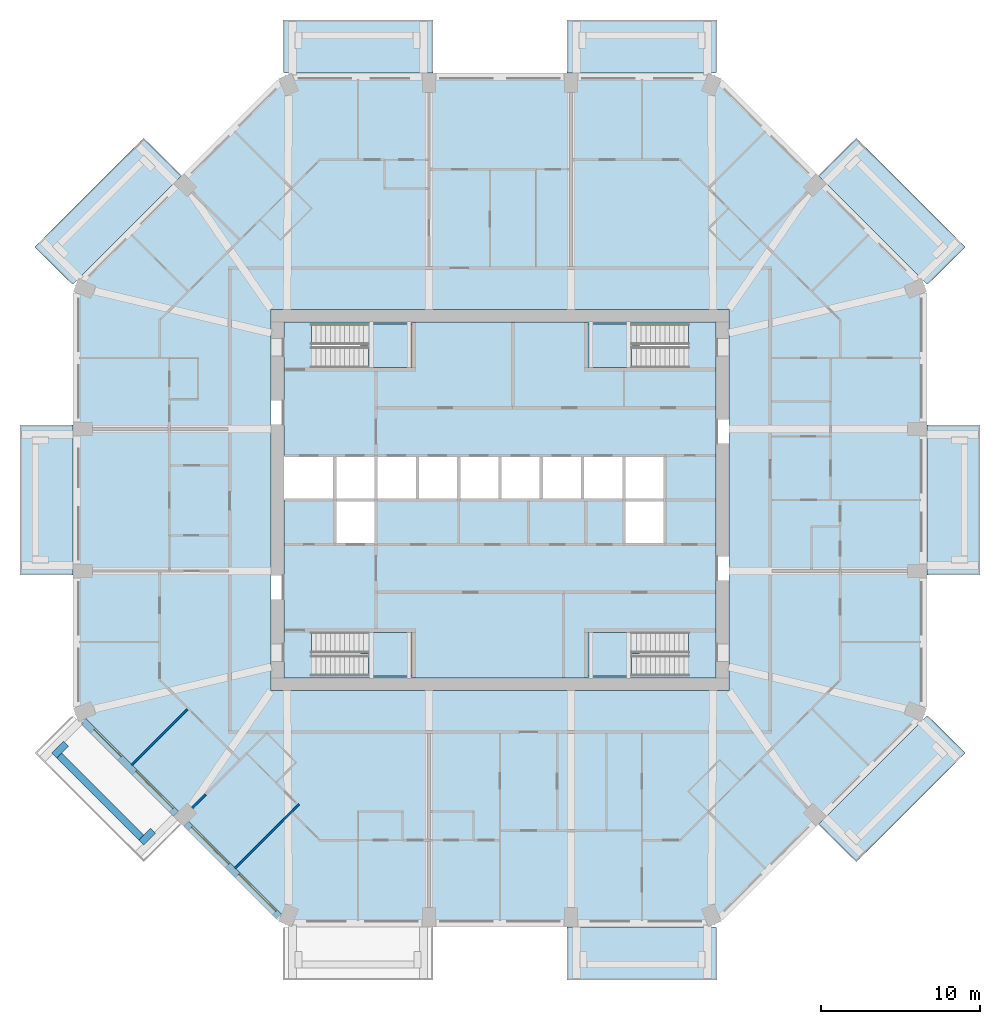
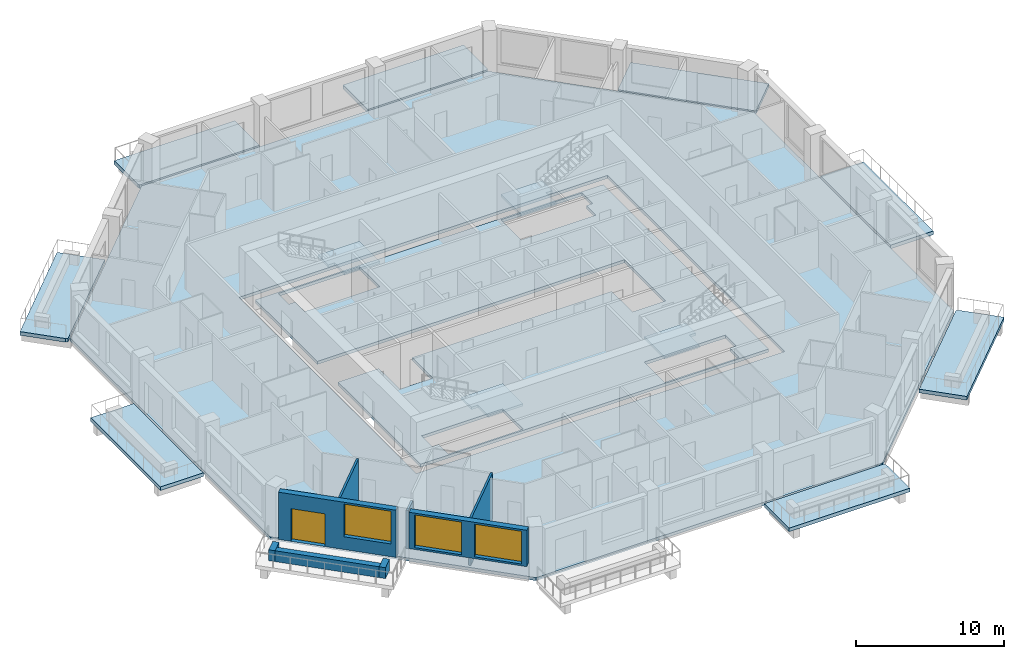
# One storey, part 2 of 13: 14 slabs, 8 walls, 3 windows, 1 door, 4 openings, 4 elements without a shape of their own.
"""IFC4 building model written with IfcOpenShell, lengths in metres."""

from ifc_helpers import new_model, si_unit, direction, frame, frame_2d, origin, place, context, subcontext, project, spatial, polyline, rectangle, outline, extrude, material, layer, layer_set, type_object, element, fill, aggregate, save


model = new_model("IFC4")

# Units and contexts
model_context = context("Model", 3, precision=1e-05, world=origin(), true_north=direction((0.0, 1.0)))
body_context = subcontext(model_context, "Body", "Model", "MODEL_VIEW")
ifc_project = project(units=[si_unit("LENGTHUNIT", "METRE"), si_unit("AREAUNIT", "SQUARE_METRE"), si_unit("VOLUMEUNIT", "CUBIC_METRE"), si_unit("PLANEANGLEUNIT", "RADIAN"), si_unit("MASSUNIT", "GRAM", prefix="KILO")], contexts=[model_context])

# Site, building, storey
site_placement = place(None, origin())
site = spatial("IfcSite", under=ifc_project, at=site_placement, CompositionType="ELEMENT")
building_placement = place(site_placement, origin())
building = spatial("IfcBuilding", under=site, at=building_placement, Name="Msitu Wima Residences", CompositionType="ELEMENT")
storey_placement = place(building_placement, frame((0.0, 0.0, 144.300048828125)))
storey = spatial("IfcBuildingStorey", under=building, at=storey_placement, Name="L33", CompositionType="ELEMENT", Elevation=144.300048828125)

# Slabs
ifc_material_1 = material(Name="Concrete C40/50", Category="concrete")
ifc_layer_1 = layer(ifc_material_1, 0.300048828125)
ifc_layer_set_1 = layer_set([ifc_layer_1], Name="Concrete C40/50")
slab_type_1 = type_object("IfcSlabType", Name="Balcony slab BS300", PredefinedType="FLOOR", material=ifc_layer_set_1)
slab_1_placement = place(storey_placement, frame((0.0, 0.0, -0.300048828125)))
element("IfcSlab", 1, at=slab_1_placement, inside=storey, type_object=slab_type_1, Name="Balcony E1 L33", PredefinedType="FLOOR", context=body_context, shape_type="SweptSolid", body=[
    extrude(outline(polyline([(26.85009765625, 4.0185546875), (26.85009765625, 4.0185546875), (26.85009765625, 4.71875), (30.199951171875, 4.71875), (30.199951171875, -4.71875), (26.85009765625, -4.71875), (26.85009765625, -4.0185546875), (26.85009765625, -4.0185546875), (26.85009765625, 4.0185546875)])), origin(), (0.0, 0.0, 1.0), 0.300048828125),
])
slab_2_placement = place(storey_placement, frame((0.0, 0.0, -0.300048828125)))
element("IfcSlab", 2, at=slab_2_placement, inside=storey, type_object=slab_type_1, Name="Balcony NE0 L33", PredefinedType="FLOOR", context=body_context, shape_type="SweptSolid", body=[
    extrude(outline(polyline([(22.4130859375, 22.766845703125), (29.263671875, 15.916015625), (27.003662109375, 13.656005859375), (26.85009765625, 13.59228515625), (20.04443359375, 20.39794921875), (22.4130859375, 22.766845703125)])), origin(), (0.0, 0.0, 1.0), 0.300048828125),
])
slab_3_placement = place(storey_placement, frame((0.0, 0.0, -0.300048828125)))
element("IfcSlab", 3, at=slab_3_placement, inside=storey, type_object=slab_type_1, Name="Balcony N0 L33", PredefinedType="FLOOR", context=body_context, shape_type="SweptSolid", body=[
    extrude(outline(polyline([(13.105224609375, 26.85009765625), (13.105224609375, 26.85009765625), (4.918701171875, 26.85009765625), (4.918701171875, 26.85009765625), (4.21875, 26.85009765625), (4.21875, 30.199951171875), (13.656005859375, 30.199951171875), (13.656005859375, 27.003662109375), (13.59228515625, 26.85009765625), (13.105224609375, 26.85009765625), (13.105224609375, 26.85009765625)])), origin(), (0.0, 0.0, 1.0), 0.300048828125),
])
slab_4_placement = place(storey_placement, frame((0.0, 0.0, -0.300048828125)))
element("IfcSlab", 4, at=slab_4_placement, inside=storey, type_object=slab_type_1, Name="Balcony N2 L33", PredefinedType="FLOOR", context=body_context, shape_type="SweptSolid", body=[
    extrude(outline(polyline([(-13.105224609375, 26.85009765625), (-13.105224609375, 26.85009765625), (-13.59228515625, 26.85009765625), (-13.656005859375, 27.003662109375), (-13.656005859375, 30.199951171875), (-4.21875, 30.199951171875), (-4.21875, 26.85009765625), (-4.918701171875, 26.85009765625), (-4.918701171875, 26.85009765625), (-13.105224609375, 26.85009765625), (-13.105224609375, 26.85009765625)])), origin(), (0.0, 0.0, 1.0), 0.300048828125),
])
slab_5_placement = place(storey_placement, frame((0.0, 0.0, -0.300048828125)))
element("IfcSlab", 5, at=slab_5_placement, inside=storey, type_object=slab_type_1, Name="Balcony NW1 L33", PredefinedType="FLOOR", context=body_context, shape_type="SweptSolid", body=[
    extrude(outline(polyline([(-29.263671875, 15.916015625), (-22.4130859375, 22.766845703125), (-20.04443359375, 20.39794921875), (-26.85009765625, 13.59228515625), (-27.003662109375, 13.656005859375), (-29.263671875, 15.916015625)])), origin(), (0.0, 0.0, 1.0), 0.300048828125),
])
slab_6_placement = place(storey_placement, frame((0.0, 0.0, -0.300048828125)))
element("IfcSlab", 6, at=slab_6_placement, inside=storey, type_object=slab_type_1, Name="Balcony W1 L33", PredefinedType="FLOOR", context=body_context, shape_type="SweptSolid", body=[
    extrude(outline(polyline([(-26.85009765625, -4.0185546875), (-26.85009765625, -4.0185546875), (-26.85009765625, -4.71875), (-30.199951171875, -4.71875), (-30.199951171875, 4.71875), (-26.85009765625, 4.71875), (-26.85009765625, 4.0185546875), (-26.85009765625, 4.0185546875), (-26.85009765625, -4.0185546875)])), origin(), (0.0, 0.0, 1.0), 0.300048828125),
])
slab_7_placement = place(storey_placement, frame((0.0, 0.0, -0.300048828125)))
element("IfcSlab", 7, at=slab_7_placement, inside=storey, type_object=slab_type_1, Name="Balcony S2 L33", PredefinedType="FLOOR", context=body_context, shape_type="SweptSolid", body=[
    extrude(outline(polyline([(13.105224609375, -26.85009765625), (13.105224609375, -26.85009765625), (13.59228515625, -26.85009765625), (13.656005859375, -27.003662109375), (13.656005859375, -30.199951171875), (4.21875, -30.199951171875), (4.21875, -26.85009765625), (4.918701171875, -26.85009765625), (4.918701171875, -26.85009765625), (13.105224609375, -26.85009765625), (13.105224609375, -26.85009765625)])), origin(), (0.0, 0.0, 1.0), 0.300048828125),
])
slab_8_placement = place(storey_placement, frame((0.0, 0.0, -0.300048828125)))
element("IfcSlab", 8, at=slab_8_placement, inside=storey, type_object=slab_type_1, Name="Balcony SE1 L33", PredefinedType="FLOOR", context=body_context, shape_type="SweptSolid", body=[
    extrude(outline(polyline([(29.263671875, -15.916015625), (22.4130859375, -22.766845703125), (20.04443359375, -20.39794921875), (26.85009765625, -13.59228515625), (27.003662109375, -13.656005859375), (29.263671875, -15.916015625)])), origin(), (0.0, 0.0, 1.0), 0.300048828125),
])
ifc_layer_2 = layer(ifc_material_1, 0.25)
ifc_layer_set_2 = layer_set([ifc_layer_2], Name="Concrete C40/50")
slab_type_2 = type_object("IfcSlabType", Name="Core floor CF250", PredefinedType="FLOOR", material=ifc_layer_set_2)
slab_9_placement = place(storey_placement, frame((0.0, 0.0, -0.25)))
element("IfcSlab", 9, at=slab_9_placement, inside=storey, type_object=slab_type_2, Name="Core floor", PredefinedType="FLOOR", context=body_context, shape_type="SweptSolid", body=[
    extrude(outline(polyline([(-13.60009765625, 11.199951171875), (-13.60009765625, 2.800048828125), (-10.39990234375, 2.800048828125), (-7.800048828125, 2.800048828125), (-5.199951171875, 2.800048828125), (-2.60009765625, 2.800048828125), (0.0, 2.800048828125), (2.60009765625, 2.800048828125), (5.199951171875, 2.800048828125), (7.800048828125, 2.800048828125), (10.39990234375, 2.800048828125), (10.39990234375, 0.0), (10.39990234375, -2.800048828125), (7.800048828125, -2.800048828125), (7.800048828125, 0.0), (5.199951171875, 0.0), (2.60009765625, 0.0), (0.0, 0.0), (-2.60009765625, 0.0), (-5.199951171875, 0.0), (-7.800048828125, 0.0), (-7.800048828125, -2.800048828125), (-10.39990234375, -2.800048828125), (-10.39990234375, 0.0), (-13.60009765625, 0.0), (-13.60009765625, -11.199951171875), (13.60009765625, -11.199951171875), (13.60009765625, 11.199951171875), (-13.60009765625, 11.199951171875)]), holes=[polyline([(-11.375, -11.074951171875), (-11.375, -9.77490234375), (-11.87451171875, -9.77490234375), (-11.87451171875, -8.324951171875), (-5.52490234375, -8.324951171875), (-5.52490234375, -11.074951171875), (-11.375, -11.074951171875)]), polyline([(-11.375, 9.625), (-11.87451171875, 9.625), (-11.87451171875, 11.074951171875), (-5.52490234375, 11.074951171875), (-5.52490234375, 8.324951171875), (-11.375, 8.324951171875), (-11.375, 9.625)]), polyline([(11.375, -9.77490234375), (11.375, -11.074951171875), (5.52490234375, -11.074951171875), (5.52490234375, -8.324951171875), (11.87451171875, -8.324951171875), (11.87451171875, -9.77490234375), (11.375, -9.77490234375)]), polyline([(11.375, 9.625), (11.375, 8.324951171875), (5.52490234375, 8.324951171875), (5.52490234375, 11.074951171875), (11.87451171875, 11.074951171875), (11.87451171875, 9.625), (11.375, 9.625)])]), origin(), (0.0, 0.0, 1.0), 0.25),
])
ifc_layer_3 = layer(ifc_material_1, 0.25)
ifc_layer_set_3 = layer_set([ifc_layer_3], Name="Concrete C40/50")
slab_type_3 = type_object("IfcSlabType", Name="PT flat slab 250 Concrete C40/50", PredefinedType="FLOOR", material=ifc_layer_set_3)
slab_10_placement = place(storey_placement, frame((0.0, 0.0, -0.25)))
element("IfcSlab", 10, at=slab_10_placement, inside=storey, type_object=slab_type_3, Name="Floor slab L33", PredefinedType="FLOOR", context=body_context, shape_type="SweptSolid", body=[
    extrude(outline(polyline([(26.699951171875, -13.5302734375), (13.5302734375, -26.699951171875), (-13.5302734375, -26.699951171875), (-26.699951171875, -13.5302734375), (-26.699951171875, 13.5302734375), (-13.5302734375, 26.699951171875), (13.5302734375, 26.699951171875), (26.699951171875, 13.5302734375), (26.699951171875, -13.5302734375)]), holes=[polyline([(-14.39990234375, -12.0), (14.39990234375, -12.0), (14.39990234375, 12.0), (-14.39990234375, 12.0), (-14.39990234375, -12.0)])]), origin(), (0.0, 0.0, 1.0), 0.25),
])

# Stair, slab
stair_type = type_object("IfcStairType", Name="Exit stair ES1615-130", PredefinedType="HALF_TURN_STAIR", material=ifc_material_1)
stair_1_placement = place(storey_placement, origin())
stair_1 = element("IfcStair", 11, at=stair_1_placement, inside=storey, type_object=stair_type, Name="Exit stair 1", PredefinedType="HALF_TURN_STAIR")
ifc_layer_4 = layer(ifc_material_1, 0.199951171875)
ifc_layer_set_4 = layer_set([ifc_layer_4], Name="Concrete C40/50")
slab_type_4 = type_object("IfcSlabType", Name="Stair landing SL200", PredefinedType="LANDING", material=ifc_layer_set_4)
slab_11_placement = place(storey_placement, frame((0.0, 0.0, 1.89990234375)))
slab_11 = element("IfcSlab", 12, at=slab_11_placement, type_object=slab_type_4, Name="S1 landing 1", PredefinedType="LANDING", context=body_context, shape_type="SweptSolid", body=[
    extrude(outline(polyline([(-5.52490234375, 8.324951171875), (-8.275390625, 8.324951171875), (-8.275390625, 9.699951171875), (-8.77490234375, 9.699951171875), (-8.77490234375, 11.074951171875), (-5.52490234375, 11.074951171875), (-5.52490234375, 8.324951171875)])), origin(), (0.0, 0.0, 1.0), 0.199951171875),
])
aggregate(stair_1, [slab_11])

stair_2_placement = place(storey_placement, origin())
stair_2 = element("IfcStair", 13, at=stair_2_placement, inside=storey, type_object=stair_type, Name="Exit stair 2", PredefinedType="HALF_TURN_STAIR")
slab_12_placement = place(storey_placement, frame((0.0, 0.0, 1.89990234375)))
slab_12 = element("IfcSlab", 14, at=slab_12_placement, type_object=slab_type_4, Name="S2 landing 1", PredefinedType="LANDING", context=body_context, shape_type="SweptSolid", body=[
    extrude(outline(polyline([(-5.52490234375, -11.074951171875), (-8.275390625, -11.074951171875), (-8.275390625, -9.699951171875), (-8.77490234375, -9.699951171875), (-8.77490234375, -8.324951171875), (-5.52490234375, -8.324951171875), (-5.52490234375, -11.074951171875)])), origin(), (0.0, 0.0, 1.0), 0.199951171875),
])
aggregate(stair_2, [slab_12])

stair_3_placement = place(storey_placement, origin())
stair_3 = element("IfcStair", 15, at=stair_3_placement, inside=storey, type_object=stair_type, Name="Exit stair 3", PredefinedType="HALF_TURN_STAIR")
slab_13_placement = place(storey_placement, frame((0.0, 0.0, 1.89990234375)))
slab_13 = element("IfcSlab", 16, at=slab_13_placement, type_object=slab_type_4, Name="S3 landing 1", PredefinedType="LANDING", context=body_context, shape_type="SweptSolid", body=[
    extrude(outline(polyline([(5.52490234375, 8.324951171875), (8.275390625, 8.324951171875), (8.275390625, 9.699951171875), (8.77490234375, 9.699951171875), (8.77490234375, 11.074951171875), (5.52490234375, 11.074951171875), (5.52490234375, 8.324951171875)])), origin(), (0.0, 0.0, 1.0), 0.199951171875),
])
aggregate(stair_3, [slab_13])

stair_4_placement = place(storey_placement, origin())
stair_4 = element("IfcStair", 17, at=stair_4_placement, inside=storey, type_object=stair_type, Name="Exit stair 4", PredefinedType="HALF_TURN_STAIR")
slab_14_placement = place(storey_placement, frame((0.0, 0.0, 1.89990234375)))
slab_14 = element("IfcSlab", 18, at=slab_14_placement, type_object=slab_type_4, Name="S4 landing 1", PredefinedType="LANDING", context=body_context, shape_type="SweptSolid", body=[
    extrude(outline(polyline([(5.52490234375, -11.074951171875), (8.275390625, -11.074951171875), (8.275390625, -9.699951171875), (8.77490234375, -9.699951171875), (8.77490234375, -8.324951171875), (5.52490234375, -8.324951171875), (5.52490234375, -11.074951171875)])), origin(), (0.0, 0.0, 1.0), 0.199951171875),
])
aggregate(stair_4, [slab_14])

# Walls
ifc_material_2 = material(Name="Facing brick")
ifc_layer_5 = layer(ifc_material_2, 0.06494140625, Name="Facing brick")
ifc_layer_6 = layer(ifc_material_1, 0.156005859375, Name="Concrete C40/50")
ifc_material_3 = material(Name="Waterproofing membrane")
ifc_layer_7 = layer(ifc_material_3, 0.00390625, Name="Waterproofing membrane")
ifc_material_4 = material(Name="Planting soil and planting")
ifc_layer_8 = layer(ifc_material_4, 0.22509765625, Name="Planting soil and planting")
ifc_layer_set_5 = layer_set([ifc_layer_5, ifc_layer_6, ifc_layer_7, ifc_layer_8], Name="Concrete C40/50")
wall_type_1 = type_object("IfcWallType", Name="Balcony planter PLANTER PL450", PredefinedType="USERDEFINED", material=ifc_layer_set_5)
wall_1_placement = place(storey_placement, frame((-27.725830078125, -16.0751953125, 0.0), z_axis=(0.0, 0.0, 1.0), x_axis=(0.707106781187, -0.707106781187, 0.0)))
element("IfcWall", 19, at=wall_1_placement, inside=storey, type_object=wall_type_1, Name="Balcony planter SW0 L33", ObjectType="PLANTER", PredefinedType="USERDEFINED", context=body_context, shape_type="SweptSolid", body=[
    extrude(rectangle(XDim=7.288330078125, YDim=0.449951171875, at=frame_2d((3.64404296875, 0.0))), origin(), (0.0, 0.0, 1.0), 0.89990234375),
])
for number, where, z_axis, x_axis, name in (
    (20, (-27.301513671875, -15.332763671875, 0.0), (0.0, 0.0, 1.0), (-0.707106781187, -0.707106781187, 0.0), "Balcony planter SW0 L33"),
    (21, (-21.829833984375, -20.804443359375, 0.0), (0.0, 0.0, 1.0), (-0.707106781187, -0.707106781187, 0.0), "Balcony planter SW0 L33"),
):
    element("IfcWall", number, at=place(storey_placement, frame(where, z_axis=z_axis, x_axis=x_axis)), inside=storey, type_object=wall_type_1, Name=name, ObjectType="PLANTER", PredefinedType="USERDEFINED", context=body_context, shape_type="SweptSolid", body=[
        extrude(rectangle(XDim=1.050048828125, YDim=0.449951171875, at=frame_2d((0.52490234375, 0.0))), origin(), (0.0, 0.0, 1.0), 0.89990234375),
    ])

# Wall, openings, door, window
ifc_material_5 = material(Name="Brick (red buff mix)", Category="masonry")
ifc_layer_9 = layer(ifc_material_5, 0.449951171875)
ifc_layer_set_6 = layer_set([ifc_layer_9], Name="Brick (red buff mix)")
wall_type_2 = type_object("IfcWallType", Name="Brick infill wall BW450", PredefinedType="SOLIDWALL", material=ifc_layer_set_6)
wall_2_placement = place(storey_placement, frame((-26.214599609375, -13.909423828125, 0.0), z_axis=(0.0, 0.0, 1.0), x_axis=(0.707106781187, -0.707106781187, 0.0)))
wall_2 = element("IfcWall", 22, at=wall_2_placement, inside=storey, type_object=wall_type_2, Name="Brick infill wall L33 SW0", PredefinedType="SOLIDWALL", context=body_context, shape_type="SweptSolid", body=[
    extrude(rectangle(XDim=8.251220703125, YDim=0.449951171875, at=frame_2d((4.12548828125, 0.0))), origin(), (0.0, 0.0, 1.0), 3.89990234375),
])
opening_1_placement = place(wall_2_placement, frame((0.86279296875, 0.0, 0.0)))
opening_1 = element("IfcOpeningElement", 23, at=opening_1_placement, cuts=wall_2, Name="Opening D33.009", PredefinedType="OPENING", context=body_context, shape_type="SweptSolid", body=[
    extrude(rectangle(XDim=2.39990234375, YDim=2.699951171875, at=frame_2d((1.199951171875, 1.35009765625))), frame((0.0, 0.23486328125, 0.0), z_axis=(0.0, -1.0, 0.0), x_axis=(1.0, 0.0, 0.0)), (0.0, 0.0, 1.0), 0.469970703125),
])
opening_2_placement = place(wall_2_placement, frame((4.57568359375, 0.0, 1.050048828125)))
opening_2 = element("IfcOpeningElement", 24, at=opening_2_placement, cuts=wall_2, Name="Opening W33.023", PredefinedType="OPENING", context=body_context, shape_type="SweptSolid", body=[
    extrude(rectangle(XDim=3.300048828125, YDim=2.699951171875, at=frame_2d((1.64990234375, 1.35009765625))), frame((0.0, 0.23486328125, 0.0), z_axis=(0.0, -1.0, 0.0), x_axis=(1.0, 0.0, 0.0)), (0.0, 0.0, 1.0), 0.469970703125),
])
ifc_material_6 = material(Name="Anodised aluminium, bronze finish, clear low-emissivity double glazing", Category="aluminium")
door_type = type_object("IfcDoorType", Name="Balcony door D2400x2700", OperationType="SLIDING_TO_LEFT", PredefinedType="DOOR", material=ifc_material_6)
door_placement = place(opening_1_placement, origin())
door = element("IfcDoor", 25, at=door_placement, inside=storey, type_object=door_type, Name="Balcony door L33 SW0", OperationType="SINGLE_SWING_LEFT", OverallHeight=2.699951171875, OverallWidth=2.39990234375, PredefinedType="DOOR", context=body_context, shape_type="SweptSolid", body=[
    extrude(rectangle(XDim=2.39990234375, YDim=2.699951171875, at=frame_2d((1.199951171875, 1.35009765625))), frame((0.0, 0.1298828125, 0.0), z_axis=(0.0, -1.0, 0.0), x_axis=(1.0, 0.0, 0.0)), (0.0, 0.0, 1.0), 0.050048828125),
])
fill(opening_1, door)
window_type = type_object("IfcWindowType", Name="Window W3300x2700", PartitioningType="DOUBLE_PANEL_VERTICAL", PredefinedType="WINDOW", material=ifc_material_6)
window_1_placement = place(opening_2_placement, origin())
window_1 = element("IfcWindow", 26, at=window_1_placement, inside=storey, type_object=window_type, Name="Window L33 SW0.2", OverallHeight=2.699951171875, OverallWidth=3.300048828125, PartitioningType="SINGLE_PANEL", PredefinedType="WINDOW", context=body_context, shape_type="SweptSolid", body=[
    extrude(rectangle(XDim=3.300048828125, YDim=2.699951171875, at=frame_2d((1.64990234375, 1.35009765625))), frame((0.0, 0.135009765625, 0.0), z_axis=(0.0, -1.0, 0.0), x_axis=(1.0, 0.0, 0.0)), (0.0, 0.0, 1.0), 0.06005859375),
])
fill(opening_2, window_1)

# Wall, openings, windows
wall_3_placement = place(storey_placement, frame((-19.743896484375, -20.380126953125, 0.89990234375), z_axis=(0.0, 0.0, 1.0), x_axis=(0.707106781187, -0.707106781187, 0.0)))
wall_3 = element("IfcWall", 27, at=wall_3_placement, inside=storey, type_object=wall_type_2, Name="Brick infill wall L33 SW1", PredefinedType="SOLIDWALL", context=body_context, shape_type="SweptSolid", body=[
    extrude(rectangle(XDim=8.251220703125, YDim=0.449951171875, at=frame_2d((4.12548828125, 0.0))), origin(), (0.0, 0.0, 1.0), 3.0),
])
opening_3_placement = place(wall_3_placement, frame((0.37548828125, 0.0, 0.14990234375)))
opening_3 = element("IfcOpeningElement", 28, at=opening_3_placement, cuts=wall_3, Name="Opening W33.024", PredefinedType="OPENING", context=body_context, shape_type="SweptSolid", body=[
    extrude(rectangle(XDim=3.300048828125, YDim=2.699951171875, at=frame_2d((1.64990234375, 1.35009765625))), frame((0.0, 0.23486328125, 0.0), z_axis=(0.0, -1.0, 0.0), x_axis=(1.0, 0.0, 0.0)), (0.0, 0.0, 1.0), 0.469970703125),
])
opening_4_placement = place(wall_3_placement, frame((4.57568359375, 0.0, 0.14990234375)))
opening_4 = element("IfcOpeningElement", 29, at=opening_4_placement, cuts=wall_3, Name="Opening W33.025", PredefinedType="OPENING", context=body_context, shape_type="SweptSolid", body=[
    extrude(rectangle(XDim=3.300048828125, YDim=2.699951171875, at=frame_2d((1.64990234375, 1.35009765625))), frame((0.0, 0.23486328125, 0.0), z_axis=(0.0, -1.0, 0.0), x_axis=(1.0, 0.0, 0.0)), (0.0, 0.0, 1.0), 0.469970703125),
])
window_2_placement = place(opening_3_placement, origin())
window_2 = element("IfcWindow", 30, at=window_2_placement, inside=storey, type_object=window_type, Name="Window L33 SW1.1", OverallHeight=2.699951171875, OverallWidth=3.300048828125, PartitioningType="SINGLE_PANEL", PredefinedType="WINDOW", context=body_context, shape_type="SweptSolid", body=[
    extrude(rectangle(XDim=3.300048828125, YDim=2.699951171875, at=frame_2d((1.64990234375, 1.35009765625))), frame((0.0, 0.135009765625, 0.0), z_axis=(0.0, -1.0, 0.0), x_axis=(1.0, 0.0, 0.0)), (0.0, 0.0, 1.0), 0.06005859375),
])
fill(opening_3, window_2)
window_3_placement = place(opening_4_placement, origin())
window_3 = element("IfcWindow", 31, at=window_3_placement, inside=storey, type_object=window_type, Name="Window L33 SW1.2", OverallHeight=2.699951171875, OverallWidth=3.300048828125, PartitioningType="SINGLE_PANEL", PredefinedType="WINDOW", context=body_context, shape_type="SweptSolid", body=[
    extrude(rectangle(XDim=3.300048828125, YDim=2.699951171875, at=frame_2d((1.64990234375, 1.35009765625))), frame((0.0, 0.135009765625, 0.0), z_axis=(0.0, -1.0, 0.0), x_axis=(1.0, 0.0, 0.0)), (0.0, 0.0, 1.0), 0.06005859375),
])
fill(opening_4, window_3)

# Walls
ifc_material_7 = material(Name="Plaster")
ifc_layer_10 = layer(ifc_material_7, 0.011962890625, Name="Plaster")
ifc_material_8 = material(Name="Concrete blockwork", Category="masonry")
ifc_layer_11 = layer(ifc_material_8, 0.1259765625, Name="Concrete blockwork")
ifc_layer_12 = layer(ifc_material_7, 0.011962890625, Name="Plaster")
ifc_layer_set_7 = layer_set([ifc_layer_10, ifc_layer_11, ifc_layer_12], Name="Concrete blockwork")
wall_type_3 = type_object("IfcWallType", Name="Partition PW150", PredefinedType="PARTITIONING", material=ifc_layer_set_7)
wall_4_placement = place(storey_placement, frame((-23.1904296875, -16.693359375, 0.0), z_axis=(0.0, 0.0, 1.0), x_axis=(0.707106781187, 0.707106781187, 0.0)))
element("IfcWall", 32, at=wall_4_placement, inside=storey, type_object=wall_type_3, Name="Partition", PredefinedType="PARTITIONING", context=body_context, shape_type="SweptSolid", body=[
    extrude(rectangle(XDim=4.980224609375, YDim=0.14990234375, at=frame_2d((2.490234375, 0.0))), origin(), (0.0, 0.0, 1.0), 3.7978515625),
])
wall_5_placement = place(storey_placement, frame((-19.37255859375, -19.37255859375, 0.0), z_axis=(0.0, 0.0, 1.0), x_axis=(0.707106781187, 0.707106781187, 0.0)))
element("IfcWall", 33, at=wall_5_placement, inside=storey, type_object=wall_type_3, Name="Partition", PredefinedType="PARTITIONING", context=body_context, shape_type="SweptSolid", body=[
    extrude(rectangle(XDim=1.209228515625, YDim=0.14990234375, at=frame_2d((0.6044921875, 0.0))), origin(), (0.0, 0.0, 1.0), 3.14990234375),
])
wall_6_placement = place(storey_placement, frame((-16.693359375, -23.1904296875, 0.0), z_axis=(0.0, 0.0, 1.0), x_axis=(0.707106781187, 0.707106781187, 0.0)))
element("IfcWall", 34, at=wall_6_placement, inside=storey, type_object=wall_type_3, Name="Partition", PredefinedType="PARTITIONING", context=body_context, shape_type="SweptSolid", body=[
    extrude(rectangle(XDim=5.72998046875, YDim=0.14990234375, at=frame_2d((2.864990234375, 0.0))), origin(), (0.0, 0.0, 1.0), 3.7978515625),
])

save(model, "model.ifc")
